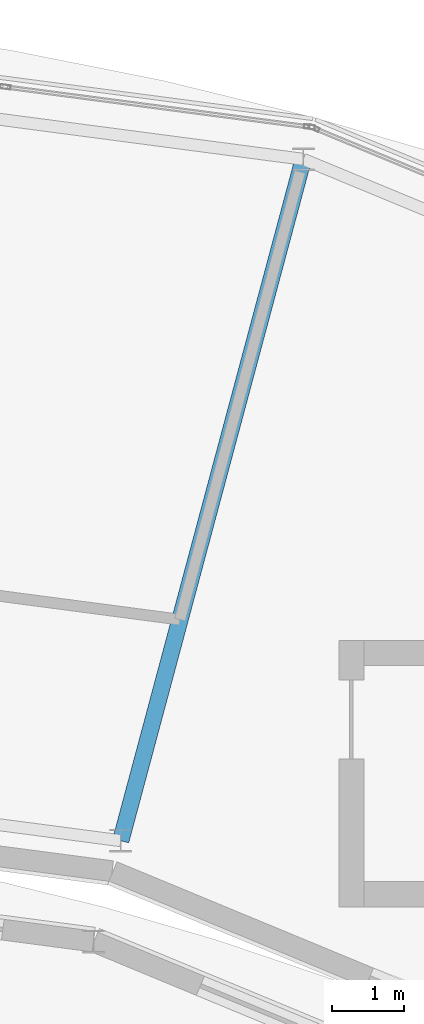
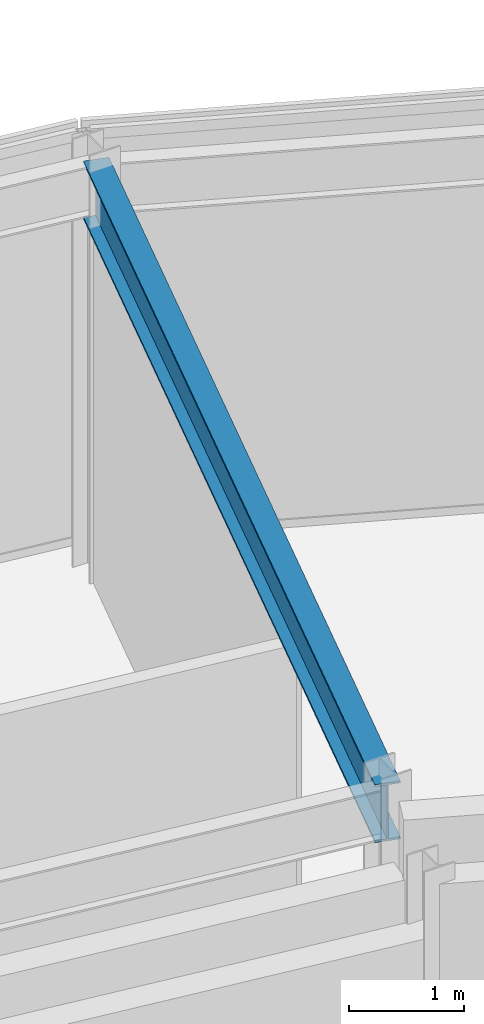
# One storey, part 51 of 116: 1 beam.
"""IFC4 building model written with IfcOpenShell, lengths in metres."""

import ifcopenshell
import ifcopenshell.guid

model = None  # the IFC model being written
_history = None  # IfcOwnerHistory: only IFC2X3 demands one
_inside = {}  # id of a spatial element -> (the spatial element, [elements in it])
_under = {}  # id of a project, library or spatial element -> (it, [spatial elements below it])
_declared = {}  # id of a project -> (the project, [libraries it declares])
_typed = {}  # id of a type object -> (the type object, [elements of that type])
_made_of = {}  # id of a material, layer set ... -> (it, [elements and type objects made of it])


def new_model(schema):
    """Start an empty IFC model of exactly this schema.

    Asked for "IFC4X3", IfcOpenShell would pick the latest addendum, in which some entities
    have other attributes; the version numbers below select the first issue.
    IFC2X3 requires an IfcOwnerHistory on every rooted entity: one is made here for all.
    """
    global model, _history
    if schema == "IFC4X3":
        model = ifcopenshell.file(schema_version=(4, 3, 0, 0))
    else:
        model = ifcopenshell.file(schema=schema)
    _inside.clear()
    _under.clear()
    _declared.clear()
    _typed.clear()
    _made_of.clear()
    _history = None
    if model.schema == "IFC2X3":
        org = make("IfcOrganization", Name="unknown")
        user = make(
            "IfcPersonAndOrganization",
            ThePerson=make("IfcPerson", FamilyName="unknown"),
            TheOrganization=org,
        )
        app = make(
            "IfcApplication",
            ApplicationDeveloper=org,
            Version="unknown",
            ApplicationFullName="unknown",
            ApplicationIdentifier="unknown",
        )
        _history = make(
            "IfcOwnerHistory",
            OwningUser=user,
            OwningApplication=app,
            ChangeAction="ADDED",
            CreationDate=0,
        )
    return model


def make(cls, **values):
    """One entity of the class cls with the attributes given. An attribute that is None is left unset."""
    return model.create_entity(
        cls, **{name: value for name, value in values.items() if value is not None}
    )


def rooted(cls, **values):
    """An entity with a GlobalId (a new one), such as an element, a storey or a relation."""
    return make(cls, GlobalId=ifcopenshell.guid.new(), OwnerHistory=_history, **values)


def si_unit(unit_type, name, prefix=None):
    """IfcSIUnit, for example si_unit("LENGTHUNIT", "METRE", prefix="MILLI")."""
    return make("IfcSIUnit", UnitType=unit_type, Prefix=prefix, Name=name)


def assignment(units):
    """IfcUnitAssignment: the units of a project."""
    return None if units is None else make("IfcUnitAssignment", Units=units)


def point(xyz):
    """IfcCartesianPoint."""
    return None if xyz is None else make("IfcCartesianPoint", Coordinates=xyz)


def direction(xyz):
    """IfcDirection."""
    return None if xyz is None else make("IfcDirection", DirectionRatios=xyz)


def frame(location, z_axis=None, x_axis=None):
    """IfcAxis2Placement3D, a coordinate frame: its origin and axes. An axis left out is left unset."""
    return make(
        "IfcAxis2Placement3D",
        Location=point(location),
        Axis=direction(z_axis),
        RefDirection=direction(x_axis),
    )


def frame_2d(location, x_axis=None):
    """IfcAxis2Placement2D, a coordinate frame in the plane: its origin and x axis."""
    return make(
        "IfcAxis2Placement2D", Location=point(location), RefDirection=direction(x_axis)
    )


def origin():
    """The frame at (0, 0, 0) with its axes left unset."""
    return frame((0.0, 0.0, 0.0))


def origin_2d():
    """The frame at (0, 0) in the plane with its x axis left unset."""
    return frame_2d((0.0, 0.0))


def place(relative_to, where):
    """IfcLocalPlacement: puts the frame where relative to a parent placement (None: the world)."""
    return make(
        "IfcLocalPlacement", PlacementRelTo=relative_to, RelativePlacement=where
    )


def context(
    kind, dimensions, precision=None, world=None, true_north=None, identifier=None
):
    """IfcGeometricRepresentationContext, for example the 3D "Model" context."""
    return make(
        "IfcGeometricRepresentationContext",
        ContextIdentifier=identifier,
        ContextType=kind,
        CoordinateSpaceDimension=dimensions,
        Precision=precision,
        WorldCoordinateSystem=world,
        TrueNorth=true_north,
    )


def subcontext(parent, identifier, kind, view, scale=None):
    """IfcGeometricRepresentationSubContext, for example "Body" below "Model"."""
    return make(
        "IfcGeometricRepresentationSubContext",
        ContextIdentifier=identifier,
        ContextType=kind,
        ParentContext=parent,
        TargetScale=scale,
        TargetView=view,
    )


def project(units=None, contexts=None):
    """IfcProject with its units and contexts."""
    return rooted(
        "IfcProject",
        Name="project",
        RepresentationContexts=contexts,
        UnitsInContext=assignment(units),
    )


def spatial(cls, under=None, at=None, **own):
    """A site, building, storey or space (cls), placed at a placement, below another one or the project."""
    s = rooted(cls, ObjectPlacement=at, **own)
    if under is not None:
        _under.setdefault(under.id(), (under, []))[1].append(s)
    return s


def profile(cls, at=None, kind="AREA", **sizes):
    """A parametric profile (cls). Its sizes go by their IFC names, for example OverallWidth=200.0."""
    return make(cls, ProfileType=kind, Position=at, **sizes)


def i_section(**sizes):
    """IfcIShapeProfileDef."""
    return profile("IfcIShapeProfileDef", **sizes)


def extrude(swept, where, along, depth):
    """IfcExtrudedAreaSolid: the profile swept, set in the frame where, extruded along a direction by depth."""
    return make(
        "IfcExtrudedAreaSolid",
        SweptArea=swept,
        Position=where,
        ExtrudedDirection=direction(along),
        Depth=depth,
    )


def shape(context_of_items, identifier, shape_type, items):
    """IfcShapeRepresentation: the items that make up one representation, for example the "Body"."""
    return make(
        "IfcShapeRepresentation",
        ContextOfItems=context_of_items,
        RepresentationIdentifier=identifier,
        RepresentationType=shape_type,
        Items=items,
    )


def material(Name=None, Category=None):
    """IfcMaterial."""
    return make("IfcMaterial", Name=Name, Category=Category)


def material_profile(
    of_material, cross_section, Name=None, Category=None, Priority=None
):
    """IfcMaterialProfile: a cross section and its material."""
    return make(
        "IfcMaterialProfile",
        Name=Name,
        Material=of_material,
        Profile=cross_section,
        Priority=Priority,
        Category=Category,
    )


def profile_set(profiles, Name=None, composite=None):
    """IfcMaterialProfileSet."""
    return make(
        "IfcMaterialProfileSet",
        Name=Name,
        MaterialProfiles=profiles,
        CompositeProfile=composite,
    )


def made_of(thing, what):
    """Note that an element or type object is made of a material, layer set ...; save() writes the relation."""
    if what is not None:
        _made_of.setdefault(what.id(), (what, []))[1].append(thing)
    return thing


def type_object(cls, material=None, **own):
    """A type object (cls), such as IfcWallType, which elements share."""
    return made_of(rooted(cls, **own), material)


def element(
    cls,
    number,
    at=None,
    inside=None,
    cuts=None,
    type_object=None,
    material=None,
    context=None,
    identifier="Body",
    shape_type=None,
    held_by="IfcProductDefinitionShape",
    body=None,
    shapes=None,
    **own,
):
    """One element of the class cls, such as IfcWall. Its Tag is "e" and its number.

    at: its placement. inside: the storey or other place that contains it. cuts: it is an
    opening in that element (IfcRelVoidsElement). A single representation is given by context,
    identifier, shape_type and body (its items); several are given by shapes. held_by: the class
    of the entity that holds the representations. save() writes the other relations.
    """
    e = rooted(cls, Tag="e%d" % number, ObjectPlacement=at, **own)
    if body is not None:
        shapes = [shape(context, identifier, shape_type, body)]
    if shapes is not None:
        e.Representation = make(held_by, Representations=shapes)
    if inside is not None:
        _inside.setdefault(inside.id(), (inside, []))[1].append(e)
    if cuts is not None:
        rooted(
            "IfcRelVoidsElement", RelatingBuildingElement=cuts, RelatedOpeningElement=e
        )
    if type_object is not None:
        _typed.setdefault(type_object.id(), (type_object, []))[1].append(e)
    return made_of(e, material)


def aggregate(whole, parts):
    """IfcRelAggregates: a whole, such as a stair, and the parts it consists of."""
    return rooted("IfcRelAggregates", RelatingObject=whole, RelatedObjects=parts)


def save(model, path):
    """Write the relations noted so far, then the file.

    IfcRelAggregates (storeys below a building ...), IfcRelContainedInSpatialStructure (elements
    in a storey), IfcRelDefinesByType, IfcRelAssociatesMaterial and IfcRelDeclares: one each for
    every whole, place, type object, material and project.
    """
    for whole, parts in _under.values():
        aggregate(whole, parts)
    for where, things in _inside.values():
        rooted(
            "IfcRelContainedInSpatialStructure",
            RelatedElements=things,
            RelatingStructure=where,
        )
    for kind, things in _typed.values():
        rooted("IfcRelDefinesByType", RelatedObjects=things, RelatingType=kind)
    for what, things in _made_of.values():
        rooted("IfcRelAssociatesMaterial", RelatedObjects=things, RelatingMaterial=what)
    for by, libraries in _declared.values():
        rooted("IfcRelDeclares", RelatingContext=by, RelatedDefinitions=libraries)
    model.write(path)


model = new_model("IFC4")

# Units and contexts
model_context = context("Model", 3, precision=1e-05, world=origin(), true_north=direction((0.0, 1.0)))
body_context = subcontext(model_context, "Body", "Model", "MODEL_VIEW")
ifc_project = project(units=[si_unit("LENGTHUNIT", "METRE"), si_unit("AREAUNIT", "SQUARE_METRE"), si_unit("VOLUMEUNIT", "CUBIC_METRE"), si_unit("PLANEANGLEUNIT", "RADIAN"), si_unit("MASSUNIT", "GRAM", prefix="KILO")], contexts=[model_context])

# Site, building, storey
site_placement = place(None, origin())
site = spatial("IfcSite", under=ifc_project, at=site_placement, CompositionType="ELEMENT")
building_placement = place(site_placement, origin())
building = spatial("IfcBuilding", under=site, at=building_placement, Name="Almandine Court Research Institute", CompositionType="ELEMENT")
storey_placement = place(building_placement, frame((0.0, 0.0, 14.35009765625)))
storey = spatial("IfcBuildingStorey", under=building, at=storey_placement, Name="L03", CompositionType="ELEMENT", Elevation=14.35009765625)

# Beam
ifc_material = material(Name="Steel ASTM A992 Grade 50", Category="steel")
ifc_material_profile = material_profile(ifc_material, i_section(OverallWidth=0.22998046875, OverallDepth=0.616943359375, WebThickness=0.012939453125, FlangeThickness=0.02197265625, at=origin_2d()), Name="W610x140")
ifc_profile_set = profile_set([ifc_material_profile], Name="Steel ASTM A992 Grade 50")
beam_type = type_object("IfcBeamType", Name="Beam-G-02", PredefinedType="BEAM", material=ifc_profile_set)
beam_placement = place(storey_placement, frame((97.1201171875, 93.76806640625, 4.06201171875), z_axis=(0.258774274024, 0.965937821551, 0.0), x_axis=(-0.965937821551, 0.258774274024, 0.0)))
element("IfcBeam", 1, at=beam_placement, inside=storey, type_object=beam_type, Name="L03 Drum Radial Girder 05", PredefinedType="BEAM", context=body_context, shape_type="SweptSolid", body=[
    extrude(i_section(OverallWidth=0.22998046875, OverallDepth=0.616943359375, WebThickness=0.012939453125, FlangeThickness=0.02197265625, at=origin_2d()), origin(), (0.0, 0.0, 1.0), 9.799560546875),
])

save(model, "model.ifc")
